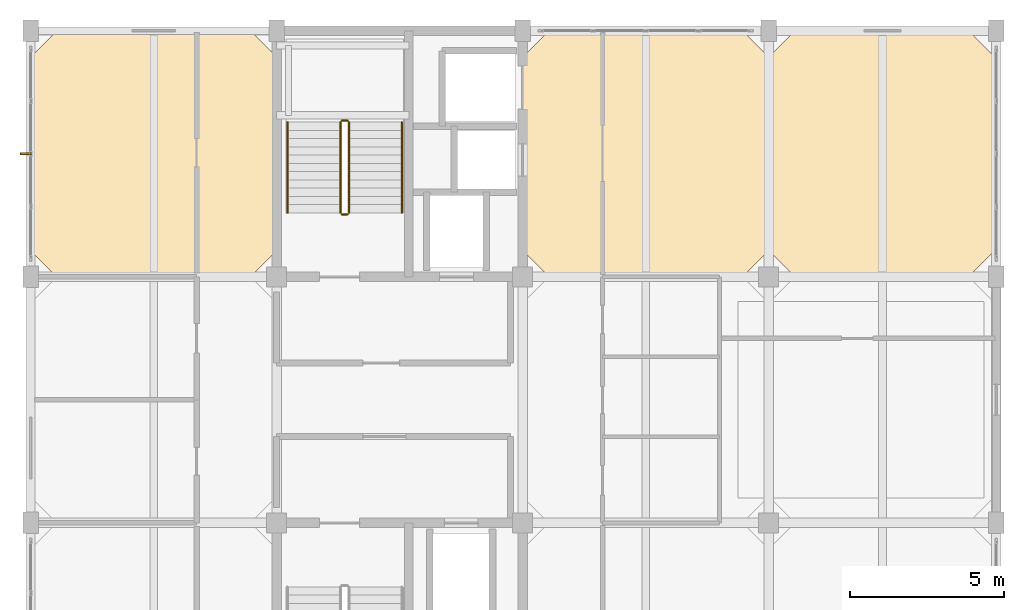
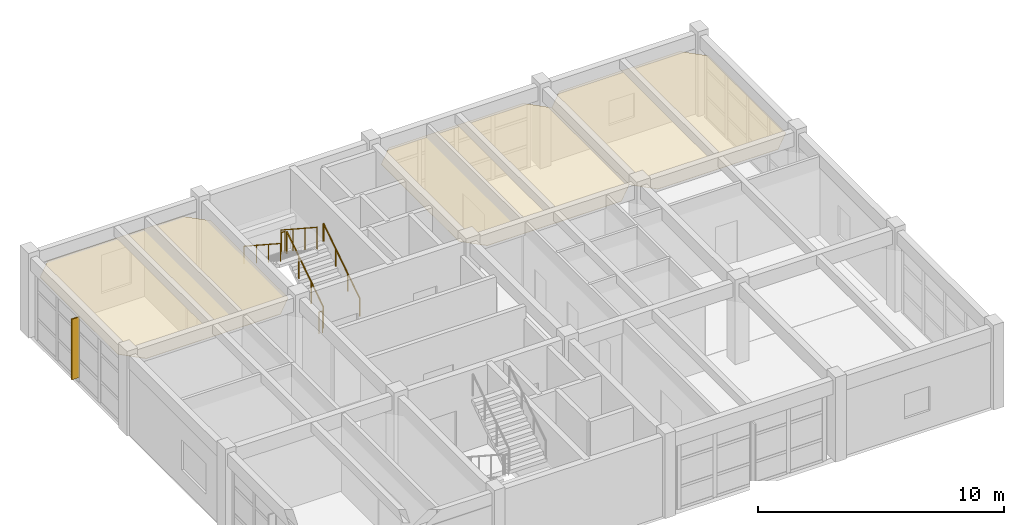
# One storey, part 16 of 16: 6 railings, 3 coverings, 1 shading device.
"""IFC4 building model written with IfcOpenShell, lengths in metres."""

from ifc_helpers import new_model, si_unit, direction, frame, origin, origin_2d, place, context, subcontext, project, spatial, polyline, rectangle, circle, outline, extrude, material, layer, layer_set, type_object, element, save


model = new_model("IFC4")

# Units and contexts
model_context = context("Model", 3, precision=1e-05, world=origin(), true_north=direction((0.0, 1.0)))
body_context = subcontext(model_context, "Body", "Model", "MODEL_VIEW")
ifc_project = project(units=[si_unit("LENGTHUNIT", "METRE"), si_unit("AREAUNIT", "SQUARE_METRE"), si_unit("VOLUMEUNIT", "CUBIC_METRE"), si_unit("PLANEANGLEUNIT", "RADIAN"), si_unit("MASSUNIT", "GRAM", prefix="KILO")], contexts=[model_context])

# Site, building, storey
site_placement = place(None, origin())
site = spatial("IfcSite", under=ifc_project, at=site_placement, CompositionType="ELEMENT")
building_placement = place(site_placement, origin())
building = spatial("IfcBuilding", under=site, at=building_placement, Name="Canggui Botanical Conservatory", CompositionType="ELEMENT")
storey_placement = place(building_placement, frame((0.0, 0.0, 65.39990234375)))
storey = spatial("IfcBuildingStorey", under=building, at=storey_placement, Name="L16", CompositionType="ELEMENT", Elevation=65.39990234375)

# Coverings
ifc_material_1 = material(Name="Mineral Fibre Acoustic Board")
ifc_layer_1 = layer(ifc_material_1, 0.014892578125, Name="Mineral Fibre Acoustic Board")
ifc_layer_set_1 = layer_set([ifc_layer_1], Name="Mineral Fibre Acoustic Board")
covering_type_1 = type_object("IfcCoveringType", Name="COV-CEIL-15", PredefinedType="CEILING", material=ifc_layer_set_1)
covering_1_placement = place(storey_placement, frame((0.0, 0.0, 3.2451171875)))
element("IfcCovering", 1, at=covering_1_placement, inside=storey, type_object=covering_type_1, Name="Suspended Acoustic Ceiling L16-170-58", PredefinedType="CEILING", context=body_context, shape_type="SweptSolid", body=[
    extrude(outline(polyline([(170.85009765625, 58.0), (176.5, 58.0), (177.35009765625, 58.85009765625), (177.35009765625, 65.14990234375), (176.5, 66.0), (170.85009765625, 66.0), (170.0, 65.14990234375), (170.0, 58.85009765625), (170.85009765625, 58.0)])), origin(), (0.0, 0.0, 1.0), 0.014892578125),
])
ifc_material_2 = material(Name="Perforated Gypsum Acoustic Panel")
ifc_layer_2 = layer(ifc_material_2, 0.02001953125, Name="Perforated Gypsum Acoustic Panel")
ifc_layer_set_2 = layer_set([ifc_layer_2], Name="Perforated Gypsum Acoustic Panel")
covering_type_2 = type_object("IfcCoveringType", Name="COV-CEIL-20", PredefinedType="CEILING", material=ifc_layer_set_2)
covering_2_placement = place(storey_placement, frame((0.0, 0.0, 3.239990234375)))
element("IfcCovering", 2, at=covering_2_placement, inside=storey, type_object=covering_type_2, Name="Suspended Acoustic Ceiling L16-146-58", PredefinedType="CEILING", context=body_context, shape_type="SweptSolid", body=[
    extrude(outline(polyline([(146.85009765625, 58.0), (153.14990234375, 58.0), (154.0, 58.85009765625), (154.0, 65.14990234375), (153.14990234375, 66.0), (146.85009765625, 66.0), (146.0, 65.14990234375), (146.0, 58.85009765625), (146.85009765625, 58.0)])), origin(), (0.0, 0.0, 1.0), 0.02001953125),
])
covering_3_placement = place(storey_placement, frame((0.0, 0.0, 3.239990234375)))
element("IfcCovering", 3, at=covering_3_placement, inside=storey, type_object=covering_type_2, Name="Suspended Acoustic Ceiling L16-162-58", PredefinedType="CEILING", context=body_context, shape_type="SweptSolid", body=[
    extrude(outline(polyline([(162.85009765625, 58.0), (169.14990234375, 58.0), (170.0, 58.85009765625), (170.0, 65.14990234375), (169.14990234375, 66.0), (162.85009765625, 66.0), (162.0, 65.14990234375), (162.0, 58.85009765625), (162.85009765625, 58.0)])), origin(), (0.0, 0.0, 1.0), 0.02001953125),
])

# Railings
ifc_material_3 = material(Name="Stainless Steel 304", Category="steel")
railing_type_1 = type_object("IfcRailingType", Name="RAIL-GUARD-1100", PredefinedType="BALUSTRADE", material=ifc_material_3)
railing_1_placement = place(storey_placement, frame((156.35009765625, 60.080078125, 0.175048828125)))
element("IfcRailing", 4, at=railing_1_placement, inside=storey, type_object=railing_type_1, Name="L16 ST-T2 stair guard 1", PredefinedType="BALUSTRADE", context=body_context, shape_type="SweptSolid", body=[
    extrude(circle(Radius=0.02392578125, at=origin_2d()), frame((0.0, 0.0, 1.076171875), z_axis=(0.0, 0.837293178872, 0.54675417933), x_axis=(-1.0, 0.0, 0.0)), (0.0, 0.0, 1.0), 3.520751953125),
    extrude(circle(Radius=0.02099609375, at=origin_2d()), origin(), (0.0, 0.0, 1.0), 1.052001953125),
    extrude(circle(Radius=0.02099609375, at=origin_2d()), frame((0.0, 0.982666015625, 0.6416015625)), (0.0, 0.0, 1.0), 1.052001953125),
    extrude(circle(Radius=0.02099609375, at=origin_2d()), frame((0.0, 1.96533203125, 1.283447265625)), (0.0, 0.0, 1.0), 1.052001953125),
    extrude(circle(Radius=0.02099609375, at=origin_2d()), frame((0.0, 2.947998046875, 1.925048828125)), (0.0, 0.0, 1.0), 1.052001953125),
])
railing_2_placement = place(storey_placement, frame((156.300048828125, 63.077880859375, 2.10009765625)))
element("IfcRailing", 5, at=railing_2_placement, inside=storey, type_object=railing_type_1, Name="L16 ST-T2 stair guard 2", PredefinedType="BALUSTRADE", context=body_context, shape_type="SweptSolid", body=[
    extrude(circle(Radius=0.02392578125, at=origin_2d()), frame((0.0, 0.0, 1.076171875), z_axis=(-1.0, 0.0, 0.0), x_axis=(0.0, -1.0, 0.0)), (0.0, 0.0, 1.0), 0.179931640625),
    extrude(circle(Radius=0.02099609375, at=origin_2d()), origin(), (0.0, 0.0, 1.0), 1.052001953125),
    extrude(circle(Radius=0.02099609375, at=origin_2d()), frame((-0.179931640625, 0.0, 0.0)), (0.0, 0.0, 1.0), 1.052001953125),
])
railing_3_placement = place(storey_placement, frame((156.070068359375, 63.028076171875, 2.275146484375)))
element("IfcRailing", 6, at=railing_3_placement, inside=storey, type_object=railing_type_1, Name="L16 ST-T2 stair guard 3", PredefinedType="BALUSTRADE", context=body_context, shape_type="SweptSolid", body=[
    extrude(circle(Radius=0.02392578125, at=origin_2d()), frame((0.0, 0.0, 1.076171875), z_axis=(0.0, -0.837293178872, 0.54675417933), x_axis=(1.0, 0.0, 0.0)), (0.0, 0.0, 1.0), 3.520751953125),
    extrude(circle(Radius=0.02099609375, at=origin_2d()), origin(), (0.0, 0.0, 1.0), 1.052001953125),
    extrude(circle(Radius=0.02099609375, at=origin_2d()), frame((0.0, -0.982666015625, 0.6416015625)), (0.0, 0.0, 1.0), 1.052001953125),
    extrude(circle(Radius=0.02099609375, at=origin_2d()), frame((0.0, -1.96533203125, 1.283447265625)), (0.0, 0.0, 1.0), 1.052001953125),
    extrude(circle(Radius=0.02099609375, at=origin_2d()), frame((0.0, -2.947998046875, 1.925048828125)), (0.0, 0.0, 1.0), 1.052001953125),
])
railing_4_placement = place(storey_placement, frame((156.300048828125, 60.030029296875, 0.0)))
element("IfcRailing", 7, at=railing_4_placement, inside=storey, type_object=railing_type_1, Name="L16 ST-T2 stair guard 4", PredefinedType="BALUSTRADE", context=body_context, shape_type="SweptSolid", body=[
    extrude(circle(Radius=0.02392578125, at=origin_2d()), frame((0.0, 0.0, 1.076171875), z_axis=(-1.0, 0.0, 0.0), x_axis=(0.0, -1.0, 0.0)), (0.0, 0.0, 1.0), 0.179931640625),
    extrude(circle(Radius=0.02099609375, at=origin_2d()), origin(), (0.0, 0.0, 1.0), 1.052001953125),
    extrude(circle(Radius=0.02099609375, at=origin_2d()), frame((-0.179931640625, 0.0, 0.0)), (0.0, 0.0, 1.0), 1.052001953125),
])
railing_type_2 = type_object("IfcRailingType", Name="RAIL-HAND-900", PredefinedType="HANDRAIL", material=ifc_material_3)
railing_5_placement = place(storey_placement, frame((158.070068359375, 60.080078125, 0.175048828125)))
element("IfcRailing", 8, at=railing_5_placement, inside=storey, type_object=railing_type_2, Name="L16 ST-T2 stair handrail 1", PredefinedType="HANDRAIL", context=body_context, shape_type="SweptSolid", body=[
    extrude(circle(Radius=0.02392578125, at=origin_2d()), frame((0.0, 0.0, 0.8759765625), z_axis=(0.0, 0.837293178872, 0.54675417933), x_axis=(-1.0, 0.0, 0.0)), (0.0, 0.0, 1.0), 3.520751953125),
    extrude(circle(Radius=0.02099609375, at=origin_2d()), origin(), (0.0, 0.0, 1.0), 0.851806640625),
    extrude(circle(Radius=0.02099609375, at=origin_2d()), frame((0.0, 0.982666015625, 0.6416015625)), (0.0, 0.0, 1.0), 0.851806640625),
    extrude(circle(Radius=0.02099609375, at=origin_2d()), frame((0.0, 1.96533203125, 1.283447265625)), (0.0, 0.0, 1.0), 0.851806640625),
    extrude(circle(Radius=0.02099609375, at=origin_2d()), frame((0.0, 2.947998046875, 1.925048828125)), (0.0, 0.0, 1.0), 0.851806640625),
])
railing_6_placement = place(storey_placement, frame((154.35009765625, 63.028076171875, 2.275146484375)))
element("IfcRailing", 9, at=railing_6_placement, inside=storey, type_object=railing_type_2, Name="L16 ST-T2 stair handrail 2", PredefinedType="HANDRAIL", context=body_context, shape_type="SweptSolid", body=[
    extrude(circle(Radius=0.02392578125, at=origin_2d()), frame((0.0, 0.0, 0.8759765625), z_axis=(0.0, -0.837293178872, 0.54675417933), x_axis=(1.0, 0.0, 0.0)), (0.0, 0.0, 1.0), 3.520751953125),
    extrude(circle(Radius=0.02099609375, at=origin_2d()), origin(), (0.0, 0.0, 1.0), 0.851806640625),
    extrude(circle(Radius=0.02099609375, at=origin_2d()), frame((0.0, -0.982666015625, 0.6416015625)), (0.0, 0.0, 1.0), 0.851806640625),
    extrude(circle(Radius=0.02099609375, at=origin_2d()), frame((0.0, -1.96533203125, 1.283447265625)), (0.0, 0.0, 1.0), 0.851806640625),
    extrude(circle(Radius=0.02099609375, at=origin_2d()), frame((0.0, -2.947998046875, 1.925048828125)), (0.0, 0.0, 1.0), 0.851806640625),
])

# Shading device
ifc_material_4 = material(Name="Anodised Aluminium", Category="aluminium")
shading_device_type = type_object("IfcShadingDeviceType", Name="SHD-FIN02", PredefinedType="AWNING", material=ifc_material_4)
shading_device_placement = place(storey_placement, frame((145.8349609375, 62.0, 0.205078125), z_axis=(0.0, 0.0, 1.0), x_axis=(0.0, 1.0, 0.0)))
element("IfcShadingDevice", 10, at=shading_device_placement, inside=storey, type_object=shading_device_type, Name="Solar Shading Fin CW-TWR-L16-06", PredefinedType="AWNING", context=body_context, shape_type="SweptSolid", body=[
    extrude(rectangle(XDim=0.06005859375, YDim=0.360107421875, at=origin_2d()), origin(), (0.0, 0.0, 1.0), 3.0),
])

save(model, "model.ifc")
